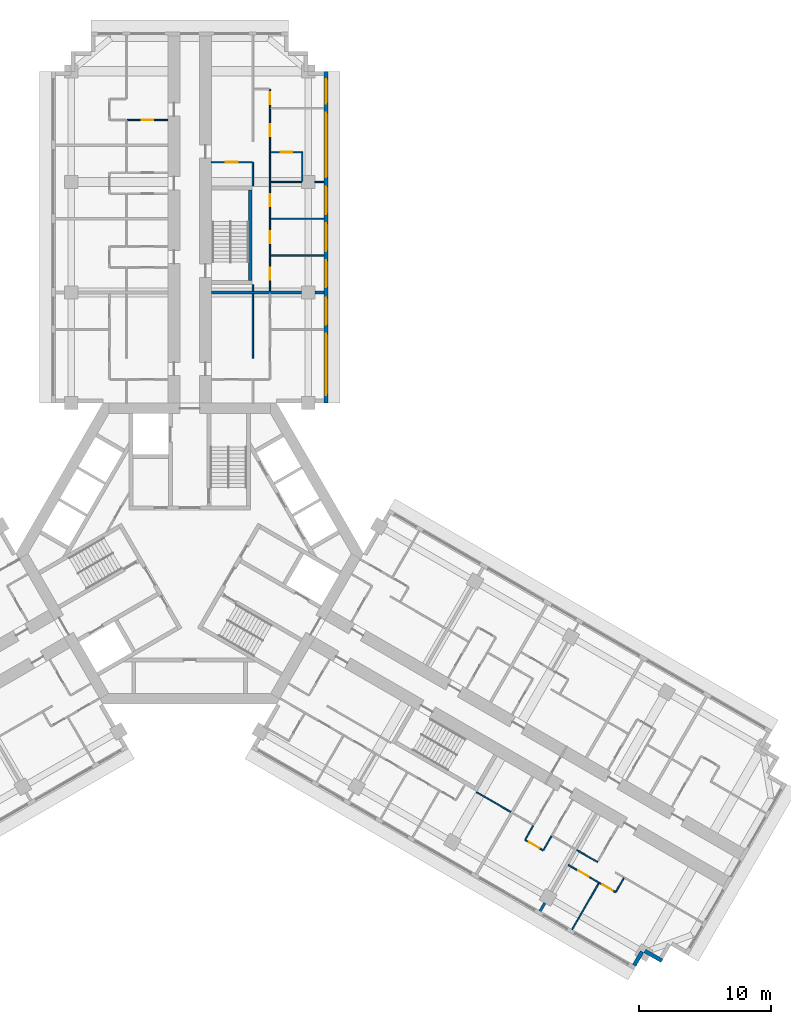
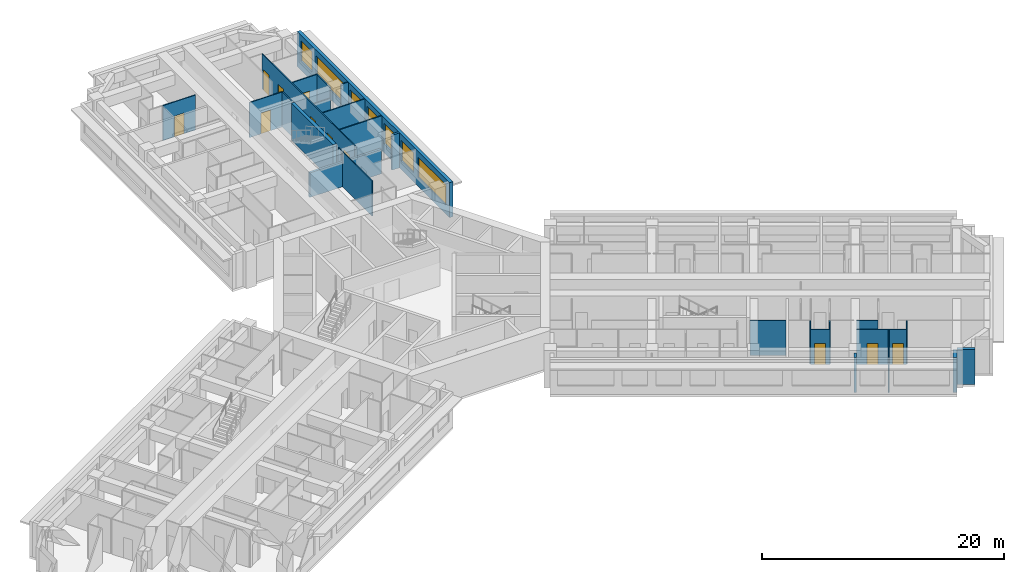
# One storey, part 10 of 15: 27 walls, 11 doors, 7 windows, 18 openings.
"""IFC4 building model written with IfcOpenShell, lengths in metres."""

from ifc_helpers import new_model, si_unit, direction, frame, frame_2d, origin, place, context, subcontext, project, spatial, rectangle, extrude, material, layer, layer_set, type_object, element, fill, save


model = new_model("IFC4")

# Units and contexts
model_context = context("Model", 3, precision=1e-05, world=origin(), true_north=direction((0.0, 1.0)))
body_context = subcontext(model_context, "Body", "Model", "MODEL_VIEW")
ifc_project = project(units=[si_unit("LENGTHUNIT", "METRE"), si_unit("AREAUNIT", "SQUARE_METRE"), si_unit("VOLUMEUNIT", "CUBIC_METRE"), si_unit("PLANEANGLEUNIT", "RADIAN"), si_unit("MASSUNIT", "GRAM", prefix="KILO")], contexts=[model_context])

# Site, building, storey
site_placement = place(None, origin())
site = spatial("IfcSite", under=ifc_project, at=site_placement, CompositionType="ELEMENT")
building_placement = place(site_placement, origin())
building = spatial("IfcBuilding", under=site, at=building_placement, Name="Impinga Residences", CompositionType="ELEMENT")
storey_placement = place(building_placement, frame((0.0, 0.0, 113.5)))
storey = spatial("IfcBuildingStorey", under=building, at=storey_placement, Name="L27", CompositionType="ELEMENT", Elevation=113.5)

# Wall, openings, windows
ifc_material_1 = material(Name="Terracotta rainscreen on blockwork", Category="masonry")
ifc_layer_1 = layer(ifc_material_1, 0.300048828125)
ifc_layer_set_1 = layer_set([ifc_layer_1], Name="EW1 external wall, terracotta rainscreen on blockwork 300")
wall_type_1 = type_object("IfcWallType", Name="EW1 external wall, terracotta rainscreen on blockwork 300", PredefinedType="SOLIDWALL", material=ifc_layer_set_1)
wall_1_placement = place(storey_placement, frame((10.35009765625, 36.631591796875, 0.0), z_axis=(0.0, 0.0, 1.0), x_axis=(0.0, -1.0, 0.0)))
wall_1 = element("IfcWall", 1, at=wall_1_placement, inside=storey, type_object=wall_type_1, Name="External wall EW1 L27", PredefinedType="SOLIDWALL", context=body_context, shape_type="SweptSolid", body=[
    extrude(rectangle(XDim=25.199951171875, YDim=0.300048828125, at=frame_2d((12.60009765625, 0.0))), origin(), (0.0, 0.0, 1.0), 3.530029296875),
])
opening_1_placement = place(wall_1_placement, frame((0.60009765625, 0.0, 0.89990234375)))
opening_1 = element("IfcOpeningElement", 2, at=opening_1_placement, cuts=wall_1, Name="Opening W15", PredefinedType="OPENING", context=body_context, shape_type="SweptSolid", body=[
    extrude(rectangle(XDim=1.85009765625, YDim=2.050048828125, at=frame_2d((0.925048828125, 1.02490234375))), frame((0.0, 0.159912109375, 0.0), z_axis=(0.0, -1.0, 0.0), x_axis=(1.0, 0.0, 0.0)), (0.0, 0.0, 1.0), 0.320068359375),
])
opening_2_placement = place(wall_1_placement, frame((3.14990234375, 0.0, 0.89990234375)))
opening_2 = element("IfcOpeningElement", 3, at=opening_2_placement, cuts=wall_1, Name="Opening W16", PredefinedType="OPENING", context=body_context, shape_type="SweptSolid", body=[
    extrude(rectangle(XDim=4.89990234375, YDim=2.050048828125, at=frame_2d((2.449951171875, 1.02490234375))), frame((0.0, 0.159912109375, 0.0), z_axis=(0.0, -1.0, 0.0), x_axis=(1.0, 0.0, 0.0)), (0.0, 0.0, 1.0), 0.320068359375),
])
opening_3_placement = place(wall_1_placement, frame((8.75, 0.0, 0.89990234375)))
opening_3 = element("IfcOpeningElement", 4, at=opening_3_placement, cuts=wall_1, Name="Opening W9", PredefinedType="OPENING", context=body_context, shape_type="SweptSolid", body=[
    extrude(rectangle(XDim=2.10009765625, YDim=2.050048828125, at=frame_2d((1.050048828125, 1.02490234375))), frame((0.0, 0.159912109375, 0.0), z_axis=(0.0, -1.0, 0.0), x_axis=(1.0, 0.0, 0.0)), (0.0, 0.0, 1.0), 0.320068359375),
])
opening_4_placement = place(wall_1_placement, frame((11.550048828125, 0.0, 0.89990234375)))
opening_4 = element("IfcOpeningElement", 5, at=opening_4_placement, cuts=wall_1, Name="Opening W9", PredefinedType="OPENING", context=body_context, shape_type="SweptSolid", body=[
    extrude(rectangle(XDim=2.10009765625, YDim=2.050048828125, at=frame_2d((1.050048828125, 1.02490234375))), frame((0.0, 0.159912109375, 0.0), z_axis=(0.0, -1.0, 0.0), x_axis=(1.0, 0.0, 0.0)), (0.0, 0.0, 1.0), 0.320068359375),
])
opening_5_placement = place(wall_1_placement, frame((14.35009765625, 0.0, 0.89990234375)))
opening_5 = element("IfcOpeningElement", 6, at=opening_5_placement, cuts=wall_1, Name="Opening W14", PredefinedType="OPENING", context=body_context, shape_type="SweptSolid", body=[
    extrude(rectangle(XDim=2.050048828125, YDim=2.050048828125, at=frame_2d((1.02490234375, 1.02490234375))), frame((0.0, 0.159912109375, 0.0), z_axis=(0.0, -1.0, 0.0), x_axis=(1.0, 0.0, 0.0)), (0.0, 0.0, 1.0), 0.320068359375),
])
opening_6_placement = place(wall_1_placement, frame((17.199951171875, 0.0, 0.89990234375)))
opening_6 = element("IfcOpeningElement", 7, at=opening_6_placement, cuts=wall_1, Name="Opening W14", PredefinedType="OPENING", context=body_context, shape_type="SweptSolid", body=[
    extrude(rectangle(XDim=2.050048828125, YDim=2.050048828125, at=frame_2d((1.02490234375, 1.02490234375))), frame((0.0, 0.159912109375, 0.0), z_axis=(0.0, -1.0, 0.0), x_axis=(1.0, 0.0, 0.0)), (0.0, 0.0, 1.0), 0.320068359375),
])
opening_7_placement = place(wall_1_placement, frame((19.949951171875, 0.0, 0.89990234375)))
opening_7 = element("IfcOpeningElement", 8, at=opening_7_placement, cuts=wall_1, Name="Opening W10", PredefinedType="OPENING", context=body_context, shape_type="SweptSolid", body=[
    extrude(rectangle(XDim=4.64990234375, YDim=2.050048828125, at=frame_2d((2.324951171875, 1.02490234375))), frame((0.0, 0.159912109375, 0.0), z_axis=(0.0, -1.0, 0.0), x_axis=(1.0, 0.0, 0.0)), (0.0, 0.0, 1.0), 0.320068359375),
])
ifc_material_2 = material(Name="Aluminium window, clear double glazing", Category="aluminium")
window_type_1 = type_object("IfcWindowType", Name="W10 ribbon window 4650x2050", PartitioningType="SINGLE_PANEL", PredefinedType="WINDOW", material=ifc_material_2)
window_1_placement = place(opening_7_placement, origin())
window_1 = element("IfcWindow", 9, at=window_1_placement, inside=storey, type_object=window_type_1, Name="Window L27", OverallHeight=2.050048828125, OverallWidth=4.64990234375, PartitioningType="SINGLE_PANEL", PredefinedType="WINDOW", context=body_context, shape_type="SweptSolid", body=[
    extrude(rectangle(XDim=4.64990234375, YDim=2.050048828125, at=frame_2d((2.324951171875, 1.02490234375))), frame((0.0, 0.030029296875, 0.0), z_axis=(0.0, -1.0, 0.0), x_axis=(1.0, 0.0, 0.0)), (0.0, 0.0, 1.0), 0.06005859375),
])
fill(opening_7, window_1)
window_type_2 = type_object("IfcWindowType", Name="W14 ribbon window 2050x2050", PartitioningType="SINGLE_PANEL", PredefinedType="WINDOW", material=ifc_material_2)
window_2_placement = place(opening_5_placement, origin())
window_2 = element("IfcWindow", 10, at=window_2_placement, inside=storey, type_object=window_type_2, Name="Window L27", OverallHeight=2.050048828125, OverallWidth=2.050048828125, PartitioningType="SINGLE_PANEL", PredefinedType="WINDOW", context=body_context, shape_type="SweptSolid", body=[
    extrude(rectangle(XDim=2.050048828125, YDim=2.050048828125, at=frame_2d((1.02490234375, 1.02490234375))), frame((0.0, 0.030029296875, 0.0), z_axis=(0.0, -1.0, 0.0), x_axis=(1.0, 0.0, 0.0)), (0.0, 0.0, 1.0), 0.06005859375),
])
fill(opening_5, window_2)
window_3_placement = place(opening_6_placement, origin())
window_3 = element("IfcWindow", 11, at=window_3_placement, inside=storey, type_object=window_type_2, Name="Window L27", OverallHeight=2.050048828125, OverallWidth=2.050048828125, PartitioningType="SINGLE_PANEL", PredefinedType="WINDOW", context=body_context, shape_type="SweptSolid", body=[
    extrude(rectangle(XDim=2.050048828125, YDim=2.050048828125, at=frame_2d((1.02490234375, 1.02490234375))), frame((0.0, 0.030029296875, 0.0), z_axis=(0.0, -1.0, 0.0), x_axis=(1.0, 0.0, 0.0)), (0.0, 0.0, 1.0), 0.06005859375),
])
fill(opening_6, window_3)
window_type_3 = type_object("IfcWindowType", Name="W15 ribbon window 1850x2050", PartitioningType="SINGLE_PANEL", PredefinedType="WINDOW", material=ifc_material_2)
window_4_placement = place(opening_1_placement, origin())
window_4 = element("IfcWindow", 12, at=window_4_placement, inside=storey, type_object=window_type_3, Name="Window L27", OverallHeight=2.050048828125, OverallWidth=1.85009765625, PartitioningType="SINGLE_PANEL", PredefinedType="WINDOW", context=body_context, shape_type="SweptSolid", body=[
    extrude(rectangle(XDim=1.85009765625, YDim=2.050048828125, at=frame_2d((0.925048828125, 1.02490234375))), frame((0.0, 0.030029296875, 0.0), z_axis=(0.0, -1.0, 0.0), x_axis=(1.0, 0.0, 0.0)), (0.0, 0.0, 1.0), 0.06005859375),
])
fill(opening_1, window_4)
window_type_4 = type_object("IfcWindowType", Name="W16 ribbon window 4900x2050", PartitioningType="SINGLE_PANEL", PredefinedType="WINDOW", material=ifc_material_2)
window_5_placement = place(opening_2_placement, origin())
window_5 = element("IfcWindow", 13, at=window_5_placement, inside=storey, type_object=window_type_4, Name="Window L27", OverallHeight=2.050048828125, OverallWidth=4.89990234375, PartitioningType="SINGLE_PANEL", PredefinedType="WINDOW", context=body_context, shape_type="SweptSolid", body=[
    extrude(rectangle(XDim=4.89990234375, YDim=2.050048828125, at=frame_2d((2.449951171875, 1.02490234375))), frame((0.0, 0.030029296875, 0.0), z_axis=(0.0, -1.0, 0.0), x_axis=(1.0, 0.0, 0.0)), (0.0, 0.0, 1.0), 0.06005859375),
])
fill(opening_2, window_5)
window_type_5 = type_object("IfcWindowType", Name="W9 ribbon window 2100x2050", PartitioningType="SINGLE_PANEL", PredefinedType="WINDOW", material=ifc_material_2)
window_6_placement = place(opening_3_placement, origin())
window_6 = element("IfcWindow", 14, at=window_6_placement, inside=storey, type_object=window_type_5, Name="Window L27", OverallHeight=2.050048828125, OverallWidth=2.10009765625, PartitioningType="SINGLE_PANEL", PredefinedType="WINDOW", context=body_context, shape_type="SweptSolid", body=[
    extrude(rectangle(XDim=2.10009765625, YDim=2.050048828125, at=frame_2d((1.050048828125, 1.02490234375))), frame((0.0, 0.030029296875, 0.0), z_axis=(0.0, -1.0, 0.0), x_axis=(1.0, 0.0, 0.0)), (0.0, 0.0, 1.0), 0.06005859375),
])
fill(opening_3, window_6)
window_7_placement = place(opening_4_placement, origin())
window_7 = element("IfcWindow", 15, at=window_7_placement, inside=storey, type_object=window_type_5, Name="Window L27", OverallHeight=2.050048828125, OverallWidth=2.10009765625, PartitioningType="SINGLE_PANEL", PredefinedType="WINDOW", context=body_context, shape_type="SweptSolid", body=[
    extrude(rectangle(XDim=2.10009765625, YDim=2.050048828125, at=frame_2d((1.050048828125, 1.02490234375))), frame((0.0, 0.030029296875, 0.0), z_axis=(0.0, -1.0, 0.0), x_axis=(1.0, 0.0, 0.0)), (0.0, 0.0, 1.0), 0.06005859375),
])
fill(opening_4, window_7)

# Walls
wall_2_placement = place(storey_placement, frame((35.87255859375, -30.93017578125, 0.0), z_axis=(0.0, 0.0, 1.0), x_axis=(-0.866031096941, 0.499990139034, 0.0)))
element("IfcWall", 16, at=wall_2_placement, inside=storey, type_object=wall_type_1, Name="External wall EW1 L27", PredefinedType="SOLIDWALL", context=body_context, shape_type="SweptSolid", body=[
    extrude(rectangle(XDim=1.5, YDim=0.300048828125, at=frame_2d((0.75, 0.0))), origin(), (0.0, 0.0, 1.0), 3.530029296875),
])
wall_3_placement = place(storey_placement, frame((34.365966796875, -30.2392578125, 0.0), z_axis=(0.0, 0.0, 1.0), x_axis=(-0.499940577336, -0.866059708757, 0.0)))
element("IfcWall", 17, at=wall_3_placement, inside=storey, type_object=wall_type_1, Name="External wall EW1 L27", PredefinedType="SOLIDWALL", context=body_context, shape_type="SweptSolid", body=[
    extrude(rectangle(XDim=1.195068359375, YDim=0.300048828125, at=frame_2d((0.59765625, 0.0))), origin(), (0.0, 0.0, 1.0), 3.530029296875),
])

# Wall, opening, door
ifc_material_3 = material(Name="Gypsum board on steel studs", Category="steel")
ifc_layer_2 = layer(ifc_material_3, 0.10009765625)
ifc_layer_set_2 = layer_set([ifc_layer_2], Name="Gypsum board on steel studs")
wall_type_2 = type_object("IfcWallType", Name="IP1 partition 100", PredefinedType="PARTITIONING", material=ifc_layer_set_2)
wall_4_placement = place(storey_placement, frame((-1.64990234375, 32.931640625, 0.0), z_axis=(0.0, 0.0, 1.0), x_axis=(-1.0, 0.0, 0.0)))
wall_4 = element("IfcWall", 18, at=wall_4_placement, inside=storey, type_object=wall_type_2, Name="Partition L27-NA4:IB1", PredefinedType="PARTITIONING", context=body_context, shape_type="SweptSolid", body=[
    extrude(rectangle(XDim=3.10009765625, YDim=0.10009765625, at=frame_2d((1.550048828125, 0.0))), origin(), (0.0, 0.0, 1.0), 3.530029296875),
])
opening_8_placement = place(wall_4_placement, frame((1.10009765625, 0.0, 0.0)))
opening_8 = element("IfcOpeningElement", 19, at=opening_8_placement, cuts=wall_4, Name="Opening D2", PredefinedType="OPENING", context=body_context, shape_type="SweptSolid", body=[
    extrude(rectangle(XDim=0.89990234375, YDim=2.10009765625, at=frame_2d((0.449951171875, 1.050048828125))), frame((0.0, 0.06005859375, 0.0), z_axis=(0.0, -1.0, 0.0), x_axis=(1.0, 0.0, 0.0)), (0.0, 0.0, 1.0), 0.1201171875),
])
ifc_material_4 = material(Name="Timber door set", Category="wood")
door_type = type_object("IfcDoorType", Name="D2 internal door 900x2100", OperationType="SINGLE_SWING_LEFT", PredefinedType="DOOR", material=ifc_material_4)
door_1_placement = place(opening_8_placement, origin())
door_1 = element("IfcDoor", 20, at=door_1_placement, inside=storey, type_object=door_type, Name="Apartment L27-NA4 bathroom door", OperationType="SINGLE_SWING_LEFT", OverallHeight=2.10009765625, OverallWidth=0.89990234375, PredefinedType="DOOR", context=body_context, shape_type="SweptSolid", body=[
    extrude(rectangle(XDim=0.89990234375, YDim=2.10009765625, at=frame_2d((0.449951171875, 1.050048828125))), frame((0.0, 0.02490234375, 0.0), z_axis=(0.0, -1.0, 0.0), x_axis=(1.0, 0.0, 0.0)), (0.0, 0.0, 1.0), 0.050048828125),
])
fill(opening_8, door_1)

# Walls
wall_5_placement = place(storey_placement, frame((4.800048828125, 14.83154296875, 0.0), z_axis=(0.0, 0.0, 1.0), x_axis=(0.0, 1.0, 0.0)))
element("IfcWall", 21, at=wall_5_placement, inside=storey, type_object=wall_type_2, Name="Partition L27-NF1:DIV1", PredefinedType="PARTITIONING", context=body_context, shape_type="SweptSolid", body=[
    extrude(rectangle(XDim=4.89990234375, YDim=0.10009765625, at=frame_2d((2.449951171875, 0.0))), origin(), (0.0, 0.0, 1.0), 3.530029296875),
])
wall_6_placement = place(storey_placement, frame((4.800048828125, 19.931640625, 0.0), z_axis=(0.0, 0.0, 1.0), x_axis=(0.0, 1.0, 0.0)))
element("IfcWall", 22, at=wall_6_placement, inside=storey, type_object=wall_type_2, Name="Partition L27-NF2:DIV0", PredefinedType="PARTITIONING", context=body_context, shape_type="SweptSolid", body=[
    extrude(rectangle(XDim=0.5, YDim=0.10009765625, at=frame_2d((0.25, 0.0))), origin(), (0.0, 0.0, 1.0), 3.530029296875),
])
wall_7_placement = place(storey_placement, frame((4.800048828125, 27.931640625, 0.0), z_axis=(0.0, 0.0, 1.0), x_axis=(0.0, 1.0, 0.0)))
element("IfcWall", 23, at=wall_7_placement, inside=storey, type_object=wall_type_2, Name="Partition L27-NF2:DIV1", PredefinedType="PARTITIONING", context=body_context, shape_type="SweptSolid", body=[
    extrude(rectangle(XDim=1.7998046875, YDim=0.10009765625, at=frame_2d((0.89990234375, 0.0))), origin(), (0.0, 0.0, 1.0), 3.530029296875),
])

# Wall, openings, doors
wall_8_placement = place(storey_placement, frame((6.10009765625, 19.931640625, 0.0), z_axis=(0.0, 0.0, 1.0), x_axis=(0.0, 1.0, 0.0)))
wall_8 = element("IfcWall", 24, at=wall_8_placement, inside=storey, type_object=wall_type_2, Name="Partition L27-NF2:STRIP", PredefinedType="PARTITIONING", context=body_context, shape_type="SweptSolid", body=[
    extrude(rectangle(XDim=15.349853515625, YDim=0.10009765625, at=frame_2d((7.6748046875, 0.0))), origin(), (0.0, 0.0, 1.0), 3.530029296875),
])
opening_9_placement = place(wall_8_placement, frame((0.875, 0.0, 0.0)))
opening_9 = element("IfcOpeningElement", 25, at=opening_9_placement, cuts=wall_8, Name="Opening D2", PredefinedType="OPENING", context=body_context, shape_type="SweptSolid", body=[
    extrude(rectangle(XDim=0.89990234375, YDim=2.10009765625, at=frame_2d((0.449951171875, 1.050048828125))), frame((0.0, 0.06005859375, 0.0), z_axis=(0.0, -1.0, 0.0), x_axis=(1.0, 0.0, 0.0)), (0.0, 0.0, 1.0), 0.1201171875),
])
opening_10_placement = place(wall_8_placement, frame((3.64990234375, 0.0, 0.0)))
opening_10 = element("IfcOpeningElement", 26, at=opening_10_placement, cuts=wall_8, Name="Opening D2", PredefinedType="OPENING", context=body_context, shape_type="SweptSolid", body=[
    extrude(rectangle(XDim=0.89990234375, YDim=2.10009765625, at=frame_2d((0.449951171875, 1.050048828125))), frame((0.0, 0.06005859375, 0.0), z_axis=(0.0, -1.0, 0.0), x_axis=(1.0, 0.0, 0.0)), (0.0, 0.0, 1.0), 0.1201171875),
])
opening_11_placement = place(wall_8_placement, frame((6.449951171875, 0.0, 0.0)))
opening_11 = element("IfcOpeningElement", 27, at=opening_11_placement, cuts=wall_8, Name="Opening D2", PredefinedType="OPENING", context=body_context, shape_type="SweptSolid", body=[
    extrude(rectangle(XDim=0.89990234375, YDim=2.10009765625, at=frame_2d((0.449951171875, 1.050048828125))), frame((0.0, 0.06005859375, 0.0), z_axis=(0.0, -1.0, 0.0), x_axis=(1.0, 0.0, 0.0)), (0.0, 0.0, 1.0), 0.1201171875),
])
opening_12_placement = place(wall_8_placement, frame((11.77490234375, 0.0, 0.0)))
opening_12 = element("IfcOpeningElement", 28, at=opening_12_placement, cuts=wall_8, Name="Opening D2", PredefinedType="OPENING", context=body_context, shape_type="SweptSolid", body=[
    extrude(rectangle(XDim=0.89990234375, YDim=2.10009765625, at=frame_2d((0.449951171875, 1.050048828125))), frame((0.0, 0.06005859375, 0.0), z_axis=(0.0, -1.0, 0.0), x_axis=(1.0, 0.0, 0.0)), (0.0, 0.0, 1.0), 0.1201171875),
])
opening_13_placement = place(wall_8_placement, frame((14.199951171875, 0.0, 0.0)))
opening_13 = element("IfcOpeningElement", 29, at=opening_13_placement, cuts=wall_8, Name="Opening D2", PredefinedType="OPENING", context=body_context, shape_type="SweptSolid", body=[
    extrude(rectangle(XDim=0.89990234375, YDim=2.10009765625, at=frame_2d((0.449951171875, 1.050048828125))), frame((0.0, 0.06005859375, 0.0), z_axis=(0.0, -1.0, 0.0), x_axis=(1.0, 0.0, 0.0)), (0.0, 0.0, 1.0), 0.1201171875),
])
door_2_placement = place(opening_9_placement, origin())
door_2 = element("IfcDoor", 30, at=door_2_placement, inside=storey, type_object=door_type, Name="Apartment L27-NF2 room door", OperationType="SINGLE_SWING_LEFT", OverallHeight=2.10009765625, OverallWidth=0.89990234375, PredefinedType="DOOR", context=body_context, shape_type="SweptSolid", body=[
    extrude(rectangle(XDim=0.89990234375, YDim=2.10009765625, at=frame_2d((0.449951171875, 1.050048828125))), frame((0.0, 0.02490234375, 0.0), z_axis=(0.0, -1.0, 0.0), x_axis=(1.0, 0.0, 0.0)), (0.0, 0.0, 1.0), 0.050048828125),
])
fill(opening_9, door_2)
door_3_placement = place(opening_10_placement, origin())
door_3 = element("IfcDoor", 31, at=door_3_placement, inside=storey, type_object=door_type, Name="Apartment L27-NF2 room door", OperationType="SINGLE_SWING_LEFT", OverallHeight=2.10009765625, OverallWidth=0.89990234375, PredefinedType="DOOR", context=body_context, shape_type="SweptSolid", body=[
    extrude(rectangle(XDim=0.89990234375, YDim=2.10009765625, at=frame_2d((0.449951171875, 1.050048828125))), frame((0.0, 0.02490234375, 0.0), z_axis=(0.0, -1.0, 0.0), x_axis=(1.0, 0.0, 0.0)), (0.0, 0.0, 1.0), 0.050048828125),
])
fill(opening_10, door_3)
door_4_placement = place(opening_11_placement, origin())
door_4 = element("IfcDoor", 32, at=door_4_placement, inside=storey, type_object=door_type, Name="Apartment L27-NF2 room door", OperationType="SINGLE_SWING_LEFT", OverallHeight=2.10009765625, OverallWidth=0.89990234375, PredefinedType="DOOR", context=body_context, shape_type="SweptSolid", body=[
    extrude(rectangle(XDim=0.89990234375, YDim=2.10009765625, at=frame_2d((0.449951171875, 1.050048828125))), frame((0.0, 0.02490234375, 0.0), z_axis=(0.0, -1.0, 0.0), x_axis=(1.0, 0.0, 0.0)), (0.0, 0.0, 1.0), 0.050048828125),
])
fill(opening_11, door_4)
door_5_placement = place(opening_12_placement, origin())
door_5 = element("IfcDoor", 33, at=door_5_placement, inside=storey, type_object=door_type, Name="Apartment L27-NF2 room door", OperationType="SINGLE_SWING_RIGHT", OverallHeight=2.10009765625, OverallWidth=0.89990234375, PredefinedType="DOOR", context=body_context, shape_type="SweptSolid", body=[
    extrude(rectangle(XDim=0.89990234375, YDim=2.10009765625, at=frame_2d((0.449951171875, 1.050048828125))), frame((0.0, 0.02490234375, 0.0), z_axis=(0.0, -1.0, 0.0), x_axis=(1.0, 0.0, 0.0)), (0.0, 0.0, 1.0), 0.050048828125),
])
fill(opening_12, door_5)
door_6_placement = place(opening_13_placement, origin())
door_6 = element("IfcDoor", 34, at=door_6_placement, inside=storey, type_object=door_type, Name="Apartment L27-NF2 room door", OperationType="SINGLE_SWING_RIGHT", OverallHeight=2.10009765625, OverallWidth=0.89990234375, PredefinedType="DOOR", context=body_context, shape_type="SweptSolid", body=[
    extrude(rectangle(XDim=0.89990234375, YDim=2.10009765625, at=frame_2d((0.449951171875, 1.050048828125))), frame((0.0, 0.02490234375, 0.0), z_axis=(0.0, -1.0, 0.0), x_axis=(1.0, 0.0, 0.0)), (0.0, 0.0, 1.0), 0.050048828125),
])
fill(opening_13, door_6)

# Wall, opening, door
wall_9_placement = place(storey_placement, frame((1.64990234375, 29.7314453125, 0.0), z_axis=(0.0, 0.0, 1.0), x_axis=(1.0, 0.0, 0.0)))
wall_9 = element("IfcWall", 35, at=wall_9_placement, inside=storey, type_object=wall_type_2, Name="Partition L27-NF2:IB1", PredefinedType="PARTITIONING", context=body_context, shape_type="SweptSolid", body=[
    extrude(rectangle(XDim=3.10009765625, YDim=0.10009765625, at=frame_2d((1.550048828125, 0.0))), origin(), (0.0, 0.0, 1.0), 3.530029296875),
])
opening_14_placement = place(wall_9_placement, frame((1.10009765625, 0.0, 0.0)))
opening_14 = element("IfcOpeningElement", 36, at=opening_14_placement, cuts=wall_9, Name="Opening D2", PredefinedType="OPENING", context=body_context, shape_type="SweptSolid", body=[
    extrude(rectangle(XDim=0.89990234375, YDim=2.10009765625, at=frame_2d((0.449951171875, 1.050048828125))), frame((0.0, 0.06005859375, 0.0), z_axis=(0.0, -1.0, 0.0), x_axis=(1.0, 0.0, 0.0)), (0.0, 0.0, 1.0), 0.1201171875),
])
door_7_placement = place(opening_14_placement, origin())
door_7 = element("IfcDoor", 37, at=door_7_placement, inside=storey, type_object=door_type, Name="Apartment L27-NF2 bathroom door", OperationType="SINGLE_SWING_LEFT", OverallHeight=2.10009765625, OverallWidth=0.89990234375, PredefinedType="DOOR", context=body_context, shape_type="SweptSolid", body=[
    extrude(rectangle(XDim=0.89990234375, YDim=2.10009765625, at=frame_2d((0.449951171875, 1.050048828125))), frame((0.0, 0.02490234375, 0.0), z_axis=(0.0, -1.0, 0.0), x_axis=(1.0, 0.0, 0.0)), (0.0, 0.0, 1.0), 0.050048828125),
])
fill(opening_14, door_7)

# Walls
for number, where, z_axis, x_axis, name in (
    (38, (6.14990234375, 22.631591796875, 0.0), (0.0, 0.0, 1.0), (1.0, 0.0, 0.0), "Partition L27-NF2:OB1"),
    (39, (6.14990234375, 25.431640625, 0.0), (0.0, 0.0, 1.0), (1.0, 0.0, 0.0), "Partition L27-NF2:OB2"),
):
    element("IfcWall", number, at=place(storey_placement, frame(where, z_axis=z_axis, x_axis=x_axis)), inside=storey, type_object=wall_type_2, Name=name, PredefinedType="PARTITIONING", context=body_context, shape_type="SweptSolid", body=[
        extrude(rectangle(XDim=4.050048828125, YDim=0.10009765625, at=frame_2d((2.02490234375, 0.0))), origin(), (0.0, 0.0, 1.0), 3.530029296875),
    ])
wall_10_placement = place(storey_placement, frame((6.14990234375, 28.2314453125, 0.0), z_axis=(0.0, 0.0, 1.0), x_axis=(1.0, 0.0, 0.0)))
element("IfcWall", 40, at=wall_10_placement, inside=storey, type_object=wall_type_2, Name="Partition L27-NF2:OB3", PredefinedType="PARTITIONING", context=body_context, shape_type="SweptSolid", body=[
    extrude(rectangle(XDim=2.35009765625, YDim=0.10009765625, at=frame_2d((1.175048828125, 0.0))), origin(), (0.0, 0.0, 1.0), 2.47998046875),
])
wall_11_placement = place(storey_placement, frame((9.5, 28.2314453125, 0.0), z_axis=(0.0, 0.0, 1.0), x_axis=(1.0, 0.0, 0.0)))
element("IfcWall", 41, at=wall_11_placement, inside=storey, type_object=wall_type_2, Name="Partition L27-NF2:OB3b", PredefinedType="PARTITIONING", context=body_context, shape_type="SweptSolid", body=[
    extrude(rectangle(XDim=0.699951171875, YDim=0.10009765625, at=frame_2d((0.35009765625, 0.0))), origin(), (0.0, 0.0, 1.0), 3.530029296875),
])

# Wall, opening, door
wall_12_placement = place(storey_placement, frame((6.14990234375, 30.4814453125, 0.0), z_axis=(0.0, 0.0, 1.0), x_axis=(1.0, 0.0, 0.0)))
wall_12 = element("IfcWall", 42, at=wall_12_placement, inside=storey, type_object=wall_type_2, Name="Partition L27-NF2:EN1", PredefinedType="PARTITIONING", context=body_context, shape_type="SweptSolid", body=[
    extrude(rectangle(XDim=2.4501953125, YDim=0.10009765625, at=frame_2d((1.22509765625, 0.0))), origin(), (0.0, 0.0, 1.0), 3.530029296875),
])
opening_15_placement = place(wall_12_placement, frame((0.75, 0.0, 0.0)))
opening_15 = element("IfcOpeningElement", 43, at=opening_15_placement, cuts=wall_12, Name="Opening D2", PredefinedType="OPENING", context=body_context, shape_type="SweptSolid", body=[
    extrude(rectangle(XDim=0.89990234375, YDim=2.10009765625, at=frame_2d((0.449951171875, 1.050048828125))), frame((0.0, 0.06005859375, 0.0), z_axis=(0.0, -1.0, 0.0), x_axis=(1.0, 0.0, 0.0)), (0.0, 0.0, 1.0), 0.1201171875),
])
door_8_placement = place(opening_15_placement, origin())
door_8 = element("IfcDoor", 44, at=door_8_placement, inside=storey, type_object=door_type, Name="Apartment L27-NF2 en-suite door", OperationType="SINGLE_SWING_LEFT", OverallHeight=2.10009765625, OverallWidth=0.89990234375, PredefinedType="DOOR", context=body_context, shape_type="SweptSolid", body=[
    extrude(rectangle(XDim=0.89990234375, YDim=2.10009765625, at=frame_2d((0.449951171875, 1.050048828125))), frame((0.0, 0.02490234375, 0.0), z_axis=(0.0, -1.0, 0.0), x_axis=(1.0, 0.0, 0.0)), (0.0, 0.0, 1.0), 0.050048828125),
])
fill(opening_15, door_8)

# Walls
wall_13_placement = place(storey_placement, frame((8.550048828125, 28.281494140625, 0.0), z_axis=(0.0, 0.0, 1.0), x_axis=(0.0, 1.0, 0.0)))
element("IfcWall", 45, at=wall_13_placement, inside=storey, type_object=wall_type_2, Name="Partition L27-NF2:EN2", PredefinedType="PARTITIONING", context=body_context, shape_type="SweptSolid", body=[
    extrude(rectangle(XDim=2.150146484375, YDim=0.10009765625, at=frame_2d((1.0751953125, 0.0))), origin(), (0.0, 0.0, 1.0), 3.530029296875),
])
wall_14_placement = place(storey_placement, frame((21.789306640625, -18.122802734375, 0.0), z_axis=(0.0, 0.0, 1.0), x_axis=(0.866031096941, -0.499990139034, 0.0)))
element("IfcWall", 46, at=wall_14_placement, inside=storey, type_object=wall_type_2, Name="Partition L27-EF1:DIV2", PredefinedType="PARTITIONING", context=body_context, shape_type="SweptSolid", body=[
    extrude(rectangle(XDim=3.0, YDim=0.10009765625, at=frame_2d((1.5, 0.0))), origin(), (0.0, 0.0, 1.0), 3.530029296875),
])

# Wall, opening, door
wall_15_placement = place(storey_placement, frame((25.469482421875, -21.74853515625, 0.0), z_axis=(0.0, 0.0, 1.0), x_axis=(0.866028054938, -0.499995408039, 0.0)))
wall_15 = element("IfcWall", 47, at=wall_15_placement, inside=storey, type_object=wall_type_2, Name="Partition L27-EF2:STRIP", PredefinedType="PARTITIONING", context=body_context, shape_type="SweptSolid", body=[
    extrude(rectangle(XDim=1.60009765625, YDim=0.10009765625, at=frame_2d((0.800048828125, 0.0))), origin(), (0.0, 0.0, 1.0), 3.530029296875),
])
opening_16_placement = place(wall_15_placement, frame((0.35009765625, 0.0, 0.0)))
opening_16 = element("IfcOpeningElement", 48, at=opening_16_placement, cuts=wall_15, Name="Opening D2", PredefinedType="OPENING", context=body_context, shape_type="SweptSolid", body=[
    extrude(rectangle(XDim=0.89990234375, YDim=2.10009765625, at=frame_2d((0.449951171875, 1.050048828125))), frame((0.0, 0.06005859375, 0.0), z_axis=(0.0, -1.0, 0.0), x_axis=(1.0, 0.0, 0.0)), (0.0, 0.0, 1.0), 0.1201171875),
])
door_9_placement = place(opening_16_placement, origin())
door_9 = element("IfcDoor", 49, at=door_9_placement, inside=storey, type_object=door_type, Name="Apartment L27-EF2 room door", OperationType="SINGLE_SWING_LEFT", OverallHeight=2.10009765625, OverallWidth=0.89990234375, PredefinedType="DOOR", context=body_context, shape_type="SweptSolid", body=[
    extrude(rectangle(XDim=0.89990234375, YDim=2.10009765625, at=frame_2d((0.449951171875, 1.050048828125))), frame((0.0, 0.02490234375, 0.0), z_axis=(0.0, -1.0, 0.0), x_axis=(1.0, 0.0, 0.0)), (0.0, 0.0, 1.0), 0.050048828125),
])
fill(opening_16, door_9)

# Walls
for number, where, z_axis, x_axis, name in (
    (50, (26.094482421875, -20.666015625, 0.0), (0.0, 0.0, 1.0), (-0.499880961361, -0.866094119867, 0.0), "Partition L27-EF2:SE0"),
    (51, (27.480224609375, -21.466064453125, 0.0), (0.0, 0.0, 1.0), (-0.50012165622, -0.865955154139, 0.0), "Partition L27-EF2:SE1"),
):
    element("IfcWall", number, at=place(storey_placement, frame(where, z_axis=z_axis, x_axis=x_axis)), inside=storey, type_object=wall_type_2, Name=name, PredefinedType="PARTITIONING", context=body_context, shape_type="SweptSolid", body=[
        extrude(rectangle(XDim=1.199951171875, YDim=0.10009765625, at=frame_2d((0.60009765625, 0.0))), origin(), (0.0, 0.0, 1.0), 3.530029296875),
    ])
wall_16_placement = place(storey_placement, frame((29.410400390625, -22.522705078125, 0.0), z_axis=(0.0, 0.0, 1.0), x_axis=(0.866047807691, -0.499961193289, 0.0)))
element("IfcWall", 52, at=wall_16_placement, inside=storey, type_object=wall_type_2, Name="Partition L27-EF3:DIV0", PredefinedType="PARTITIONING", context=body_context, shape_type="SweptSolid", body=[
    extrude(rectangle(XDim=1.800048828125, YDim=0.10009765625, at=frame_2d((0.89990234375, 0.0))), origin(), (0.0, 0.0, 1.0), 3.530029296875),
])

# Wall, openings, doors
wall_17_placement = place(storey_placement, frame((28.760498046875, -23.6484375, 0.0), z_axis=(0.0, 0.0, 1.0), x_axis=(0.866004344652, -0.500036473714, 0.0)))
wall_17 = element("IfcWall", 53, at=wall_17_placement, inside=storey, type_object=wall_type_2, Name="Partition L27-EF3:STRIP", PredefinedType="PARTITIONING", context=body_context, shape_type="SweptSolid", body=[
    extrude(rectangle(XDim=4.150146484375, YDim=0.10009765625, at=frame_2d((2.0751953125, 0.0))), origin(), (0.0, 0.0, 1.0), 3.530029296875),
])
opening_17_placement = place(wall_17_placement, frame((0.875, 0.0, 0.0)))
opening_17 = element("IfcOpeningElement", 54, at=opening_17_placement, cuts=wall_17, Name="Opening D2", PredefinedType="OPENING", context=body_context, shape_type="SweptSolid", body=[
    extrude(rectangle(XDim=0.89990234375, YDim=2.10009765625, at=frame_2d((0.449951171875, 1.050048828125))), frame((0.0, 0.06005859375, 0.0), z_axis=(0.0, -1.0, 0.0), x_axis=(1.0, 0.0, 0.0)), (0.0, 0.0, 1.0), 0.1201171875),
])
opening_18_placement = place(wall_17_placement, frame((3.0, 0.0, 0.0)))
opening_18 = element("IfcOpeningElement", 55, at=opening_18_placement, cuts=wall_17, Name="Opening D2", PredefinedType="OPENING", context=body_context, shape_type="SweptSolid", body=[
    extrude(rectangle(XDim=0.89990234375, YDim=2.10009765625, at=frame_2d((0.449951171875, 1.050048828125))), frame((0.0, 0.06005859375, 0.0), z_axis=(0.0, -1.0, 0.0), x_axis=(1.0, 0.0, 0.0)), (0.0, 0.0, 1.0), 0.1201171875),
])
door_10_placement = place(opening_17_placement, origin())
door_10 = element("IfcDoor", 56, at=door_10_placement, inside=storey, type_object=door_type, Name="Apartment L27-EF3 room door", OperationType="SINGLE_SWING_LEFT", OverallHeight=2.10009765625, OverallWidth=0.89990234375, PredefinedType="DOOR", context=body_context, shape_type="SweptSolid", body=[
    extrude(rectangle(XDim=0.89990234375, YDim=2.10009765625, at=frame_2d((0.449951171875, 1.050048828125))), frame((0.0, 0.02490234375, 0.0), z_axis=(0.0, -1.0, 0.0), x_axis=(1.0, 0.0, 0.0)), (0.0, 0.0, 1.0), 0.050048828125),
])
fill(opening_17, door_10)
door_11_placement = place(opening_18_placement, origin())
door_11 = element("IfcDoor", 57, at=door_11_placement, inside=storey, type_object=door_type, Name="Apartment L27-EF3 room door", OperationType="SINGLE_SWING_RIGHT", OverallHeight=2.10009765625, OverallWidth=0.89990234375, PredefinedType="DOOR", context=body_context, shape_type="SweptSolid", body=[
    extrude(rectangle(XDim=0.89990234375, YDim=2.10009765625, at=frame_2d((0.449951171875, 1.050048828125))), frame((0.0, 0.02490234375, 0.0), z_axis=(0.0, -1.0, 0.0), x_axis=(1.0, 0.0, 0.0)), (0.0, 0.0, 1.0), 0.050048828125),
])
fill(opening_18, door_11)

# Walls
wall_18_placement = place(storey_placement, frame((32.9794921875, -24.640869140625, 0.0), z_axis=(0.0, 0.0, 1.0), x_axis=(-0.500033551112, -0.866006032174, 0.0)))
element("IfcWall", 58, at=wall_18_placement, inside=storey, type_object=wall_type_2, Name="Partition L27-EF3:SE1", PredefinedType="PARTITIONING", context=body_context, shape_type="SweptSolid", body=[
    extrude(rectangle(XDim=1.2001953125, YDim=0.10009765625, at=frame_2d((0.60009765625, 0.0))), origin(), (0.0, 0.0, 1.0), 3.530029296875),
])
wall_19_placement = place(storey_placement, frame((31.07373046875, -25.041748046875, 0.0), z_axis=(0.0, 0.0, 1.0), x_axis=(-0.499964223975, -0.866046058097, 0.0)))
element("IfcWall", 59, at=wall_19_placement, inside=storey, type_object=wall_type_2, Name="Partition L27-EF3:OB1", PredefinedType="PARTITIONING", context=body_context, shape_type="SweptSolid", body=[
    extrude(rectangle(XDim=4.050048828125, YDim=0.10009765625, at=frame_2d((2.02490234375, 0.0))), origin(), (0.0, 0.0, 1.0), 3.530029296875),
])
ifc_material_5 = material(Name="Concrete blockwork", Category="masonry")
ifc_layer_3 = layer(ifc_material_5, 0.199951171875)
ifc_layer_set_3 = layer_set([ifc_layer_3], Name="PW1 party wall between apartments 200")
wall_type_3 = type_object("IfcWallType", Name="PW1 party wall between apartments 200", PredefinedType="SOLIDWALL", material=ifc_layer_set_3)
wall_20_placement = place(storey_placement, frame((1.64990234375, 19.83154296875, 0.0), z_axis=(0.0, 0.0, 1.0), x_axis=(1.0, 0.0, 0.0)))
element("IfcWall", 60, at=wall_20_placement, inside=storey, type_object=wall_type_3, Name="Party wall between apartments L27-NF1:PARTY", PredefinedType="SOLIDWALL", context=body_context, shape_type="SweptSolid", body=[
    extrude(rectangle(XDim=6.85009765625, YDim=0.199951171875, at=frame_2d((3.425048828125, 0.0))), origin(), (0.0, 0.0, 1.0), 2.47998046875),
])
for number, where, z_axis, x_axis, name in (
    (61, (9.5, 19.83154296875, 0.0), (0.0, 0.0, 1.0), (1.0, 0.0, 0.0), "Party wall between apartments L27-NF1:PARTYb"),
    (62, (26.973876953125, -26.54296875, 0.0), (0.0, 0.0, 1.0), (-0.500114896893, -0.865959057869, 0.0), "Party wall between apartments L27-EF2:PARTYb"),
):
    element("IfcWall", number, at=place(storey_placement, frame(where, z_axis=z_axis, x_axis=x_axis)), inside=storey, type_object=wall_type_3, Name=name, PredefinedType="SOLIDWALL", context=body_context, shape_type="SweptSolid", body=[
        extrude(rectangle(XDim=0.699951171875, YDim=0.199951171875, at=frame_2d((0.35009765625, 0.0))), origin(), (0.0, 0.0, 1.0), 3.530029296875),
    ])
ifc_material_6 = material(Name="Concrete C60/75", Category="concrete")
ifc_layer_4 = layer(ifc_material_6, 0.300048828125)
ifc_layer_set_4 = layer_set([ifc_layer_4], Name="Concrete C60/75")
wall_type_4 = type_object("IfcWallType", Name="SE1 wing stair enclosure wall 300", PredefinedType="SOLIDWALL", material=ifc_layer_set_4)
wall_21_placement = place(storey_placement, frame((4.60009765625, 20.7314453125, 0.0), z_axis=(0.0, 0.0, 1.0), x_axis=(0.0, 1.0, 0.0)))
element("IfcWall", 63, at=wall_21_placement, inside=storey, type_object=wall_type_4, Name="Stair enclosure wall SE1 N OUT L27", PredefinedType="SOLIDWALL", context=body_context, shape_type="SweptSolid", body=[
    extrude(rectangle(XDim=6.900146484375, YDim=0.300048828125, at=frame_2d((3.4501953125, 0.0))), origin(), (0.0, 0.0, 1.0), 3.75),
])

save(model, "model.ifc")
